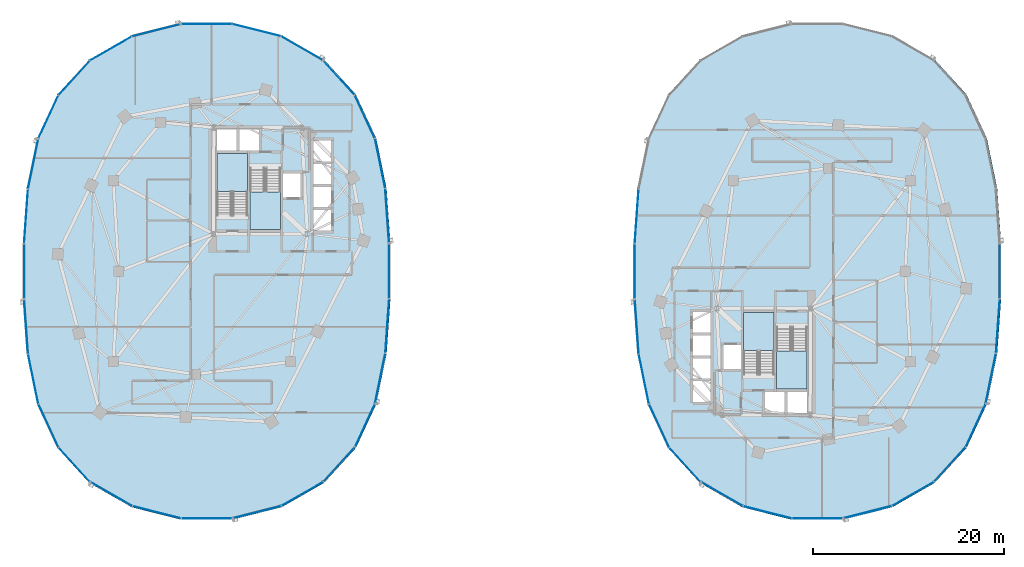
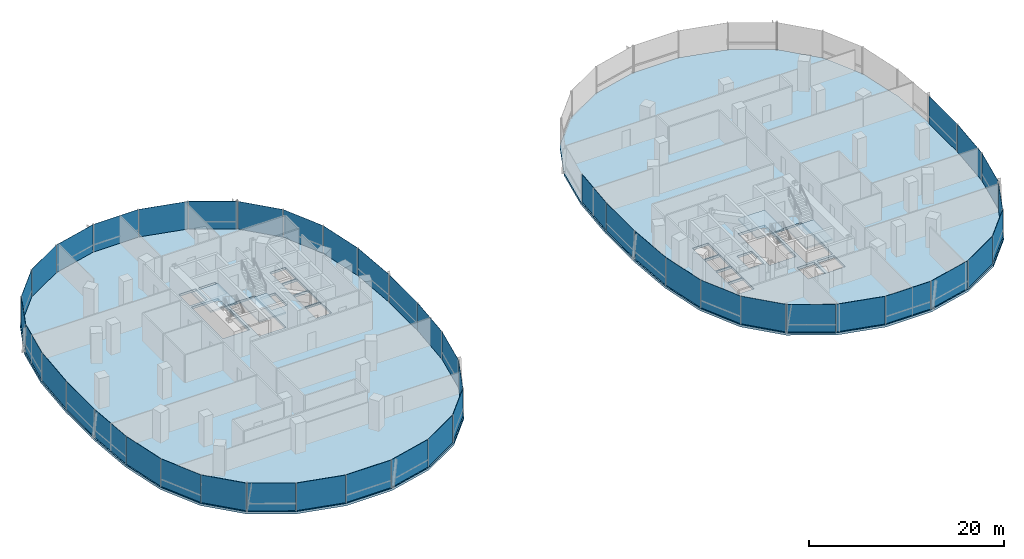
# One storey, part 9 of 21: 44 plates, 6 slabs, 11 elements without a shape of their own.
"""IFC4 building model written with IfcOpenShell, lengths in metres."""

from ifc_helpers import new_model, si_unit, direction, frame, origin, origin_2d, place, context, subcontext, project, spatial, polyline, rectangle, outline, extrude, material, layer, layer_set, type_object, element, aggregate, save


model = new_model("IFC4")

# Units and contexts
model_context = context("Model", 3, precision=1e-05, world=origin(), true_north=direction((0.0, 1.0)))
body_context = subcontext(model_context, "Body", "Model", "MODEL_VIEW")
ifc_project = project(units=[si_unit("LENGTHUNIT", "METRE"), si_unit("AREAUNIT", "SQUARE_METRE"), si_unit("VOLUMEUNIT", "CUBIC_METRE"), si_unit("PLANEANGLEUNIT", "RADIAN"), si_unit("MASSUNIT", "GRAM", prefix="KILO"), si_unit("THERMODYNAMICTEMPERATUREUNIT", "KELVIN"), si_unit("POWERUNIT", "WATT")], contexts=[model_context])

# Site, building, storey
site_placement = place(None, origin())
site = spatial("IfcSite", under=ifc_project, at=site_placement, CompositionType="ELEMENT")
building_placement = place(site_placement, origin())
building = spatial("IfcBuilding", under=site, at=building_placement, Name="Cundina Bronze Exchange", CompositionType="ELEMENT")
storey_placement = place(building_placement, frame((0.0, 0.0, 65.800048828125)))
storey = spatial("IfcBuildingStorey", under=building, at=storey_placement, Name="L16", CompositionType="ELEMENT", Elevation=65.800048828125)

# Curtain wall, plates
ifc_material_1 = material(Name="Anodised Bronze Aluminium 6063-T6", Category="aluminium")
curtain_wall_type = type_object("IfcCurtainWallType", Name="CWS-TRD-LOW", PredefinedType="NOTDEFINED", material=ifc_material_1)
curtain_wall_1_placement = place(storey_placement, origin())
curtain_wall_1 = element("IfcCurtainWall", 1, at=curtain_wall_1_placement, inside=storey, type_object=curtain_wall_type, Name="L16 CW-02 Curtain Wall Run CWR-L16-W1", PredefinedType="NOTDEFINED")
ifc_material_2 = material(Name="Heat-Strengthened Solar-Control Bronze Safety Glass 28mm", Category="glass")
ifc_layer_1 = layer(ifc_material_2, 0.028076171875, Name="Heat-Strengthened Solar-Control Bronze Safety Glass 28mm", Category="glass")
ifc_layer_set_1 = layer_set([ifc_layer_1], Name="Heat-Strengthened Solar-Control Bronze Safety Glass 28mm")
plate_type_1 = type_object("IfcPlateType", Name="PLT-GLZ-VIS28", PredefinedType="CURTAIN_PANEL", material=ifc_layer_set_1)
plate_1_placement = place(storey_placement, frame((-13.0732421875, 5.783935546875, 0.02001953125), z_axis=(0.0, 0.0, 1.0), x_axis=(-0.070278787473, 0.997527389113, 0.0)))
plate_1 = element("IfcPlate", 2, at=plate_1_placement, type_object=plate_type_1, Name="CW-02 Glazed Panel 1", PredefinedType="CURTAIN_PANEL", context=body_context, shape_type="SweptSolid", body=[
    extrude(rectangle(XDim=5.644287109375, YDim=0.028076171875, at=origin_2d()), origin(), (0.0, 0.0, 1.0), 3.4599609375),
])
plate_2_placement = place(storey_placement, frame((-13.81591796875, 11.269775390625, 0.02001953125), z_axis=(0.0, 0.0, 1.0), x_axis=(-0.201419845156, 0.979505000486, 0.0)))
plate_2 = element("IfcPlate", 3, at=plate_2_placement, type_object=plate_type_1, Name="CW-02 Glazed Panel 2", PredefinedType="CURTAIN_PANEL", context=body_context, shape_type="SweptSolid", body=[
    extrude(rectangle(XDim=5.306640625, YDim=0.028076171875, at=origin_2d()), origin(), (0.0, 0.0, 1.0), 3.4599609375),
])
plate_3_placement = place(storey_placement, frame((-15.413818359375, 16.177734375, 0.02001953125), z_axis=(0.0, 0.0, 1.0), x_axis=(-0.42084583328, 0.907132175932, 0.0)))
plate_3 = element("IfcPlate", 4, at=plate_3_placement, type_object=plate_type_1, Name="CW-02 Glazed Panel 3", PredefinedType="CURTAIN_PANEL", context=body_context, shape_type="SweptSolid", body=[
    extrude(rectangle(XDim=4.966552734375, YDim=0.028076171875, at=origin_2d()), origin(), (0.0, 0.0, 1.0), 3.4599609375),
])
plate_4_placement = place(storey_placement, frame((-21.980712890625, 23.34423828125, 0.02001953125), z_axis=(0.0, 0.0, 1.0), x_axis=(-0.867105478933, 0.498124571171, 0.0)))
plate_4 = element("IfcPlate", 5, at=plate_4_placement, type_object=plate_type_1, Name="CW-02 Glazed Panel 5", PredefinedType="CURTAIN_PANEL", context=body_context, shape_type="SweptSolid", body=[
    extrude(rectangle(XDim=5.021240234375, YDim=0.028076171875, at=origin_2d()), origin(), (0.0, 0.0, 1.0), 3.4599609375),
])
plate_5_placement = place(storey_placement, frame((-26.744384765625, 25.256591796875, 0.02001953125), z_axis=(0.0, 0.0, 1.0), x_axis=(-0.969488149345, 0.245138182011, 0.0)))
plate_5 = element("IfcPlate", 6, at=plate_5_placement, type_object=plate_type_1, Name="CW-02 Glazed Panel 6", PredefinedType="CURTAIN_PANEL", context=body_context, shape_type="SweptSolid", body=[
    extrude(rectangle(XDim=5.2333984375, YDim=0.028076171875, at=origin_2d()), origin(), (0.0, 0.0, 1.0), 3.4599609375),
])
plate_6_placement = place(storey_placement, frame((-32.0, 25.905029296875, 0.02001953125), z_axis=(0.0, 0.0, 1.0), x_axis=(-1.0, 0.0, 0.0)))
plate_6 = element("IfcPlate", 7, at=plate_6_placement, type_object=plate_type_1, Name="CW-02 Glazed Panel 7", PredefinedType="CURTAIN_PANEL", context=body_context, shape_type="SweptSolid", body=[
    extrude(rectangle(XDim=5.323974609375, YDim=0.028076171875, at=origin_2d()), origin(), (0.0, 0.0, 1.0), 3.4599609375),
])

curtain_wall_2_placement = place(storey_placement, origin())
curtain_wall_2 = element("IfcCurtainWall", 8, at=curtain_wall_2_placement, inside=storey, type_object=curtain_wall_type, Name="L16 CW-02 Curtain Wall Run CWR-L16-W2", PredefinedType="NOTDEFINED")
plate_7_placement = place(storey_placement, frame((-37.255615234375, 25.256591796875, 0.02001953125), z_axis=(0.0, 0.0, 1.0), x_axis=(-0.969488149345, -0.245138182011, 0.0)))
plate_7 = element("IfcPlate", 9, at=plate_7_placement, type_object=plate_type_1, Name="CW-02 Glazed Panel 1", PredefinedType="CURTAIN_PANEL", context=body_context, shape_type="SweptSolid", body=[
    extrude(rectangle(XDim=5.2333984375, YDim=0.028076171875, at=origin_2d()), origin(), (0.0, 0.0, 1.0), 3.4599609375),
])
plate_8_placement = place(storey_placement, frame((-42.019287109375, 23.34423828125, 0.02001953125), z_axis=(0.0, 0.0, 1.0), x_axis=(-0.867105478933, -0.498124571171, 0.0)))
plate_8 = element("IfcPlate", 10, at=plate_8_placement, type_object=plate_type_1, Name="CW-02 Glazed Panel 2", PredefinedType="CURTAIN_PANEL", context=body_context, shape_type="SweptSolid", body=[
    extrude(rectangle(XDim=5.021240234375, YDim=0.028076171875, at=origin_2d()), origin(), (0.0, 0.0, 1.0), 3.4599609375),
])
plate_9_placement = place(storey_placement, frame((-48.586181640625, 16.177734375, 0.02001953125), z_axis=(0.0, 0.0, 1.0), x_axis=(-0.42084583328, -0.907132175932, 0.0)))
plate_9 = element("IfcPlate", 11, at=plate_9_placement, type_object=plate_type_1, Name="CW-02 Glazed Panel 4", PredefinedType="CURTAIN_PANEL", context=body_context, shape_type="SweptSolid", body=[
    extrude(rectangle(XDim=4.966552734375, YDim=0.028076171875, at=origin_2d()), origin(), (0.0, 0.0, 1.0), 3.4599609375),
])
plate_10_placement = place(storey_placement, frame((-50.18408203125, 11.269775390625, 0.02001953125), z_axis=(0.0, 0.0, 1.0), x_axis=(-0.201419845156, -0.979505000486, 0.0)))
plate_10 = element("IfcPlate", 12, at=plate_10_placement, type_object=plate_type_1, Name="CW-02 Glazed Panel 5", PredefinedType="CURTAIN_PANEL", context=body_context, shape_type="SweptSolid", body=[
    extrude(rectangle(XDim=5.306640625, YDim=0.028076171875, at=origin_2d()), origin(), (0.0, 0.0, 1.0), 3.4599609375),
])
plate_11_placement = place(storey_placement, frame((-50.9267578125, 5.783935546875, 0.02001953125), z_axis=(0.0, 0.0, 1.0), x_axis=(-0.070278787473, -0.997527389113, 0.0)))
plate_11 = element("IfcPlate", 13, at=plate_11_placement, type_object=plate_type_1, Name="CW-02 Glazed Panel 6", PredefinedType="CURTAIN_PANEL", context=body_context, shape_type="SweptSolid", body=[
    extrude(rectangle(XDim=5.644287109375, YDim=0.028076171875, at=origin_2d()), origin(), (0.0, 0.0, 1.0), 3.4599609375),
])
plate_12_placement = place(storey_placement, frame((-51.1279296875, 0.0, 0.02001953125), z_axis=(0.0, 0.0, 1.0), x_axis=(0.0, -1.0, 0.0)))
plate_12 = element("IfcPlate", 14, at=plate_12_placement, type_object=plate_type_1, Name="CW-02 Glazed Panel 7", PredefinedType="CURTAIN_PANEL", context=body_context, shape_type="SweptSolid", body=[
    extrude(rectangle(XDim=5.77587890625, YDim=0.028076171875, at=origin_2d()), origin(), (0.0, 0.0, 1.0), 3.4599609375),
])

curtain_wall_3_placement = place(storey_placement, origin())
curtain_wall_3 = element("IfcCurtainWall", 15, at=curtain_wall_3_placement, inside=storey, type_object=curtain_wall_type, Name="L16 CW-02 Curtain Wall Run CWR-L16-W3", PredefinedType="NOTDEFINED")
plate_13_placement = place(storey_placement, frame((-50.9267578125, -5.783935546875, 0.02001953125), z_axis=(0.0, 0.0, 1.0), x_axis=(0.070278787473, -0.997527389113, 0.0)))
plate_13 = element("IfcPlate", 16, at=plate_13_placement, type_object=plate_type_1, Name="CW-02 Glazed Panel 1", PredefinedType="CURTAIN_PANEL", context=body_context, shape_type="SweptSolid", body=[
    extrude(rectangle(XDim=5.644287109375, YDim=0.028076171875, at=origin_2d()), origin(), (0.0, 0.0, 1.0), 3.4599609375),
])
plate_14_placement = place(storey_placement, frame((-48.586181640625, -16.177734375, 0.02001953125), z_axis=(0.0, 0.0, 1.0), x_axis=(0.42084583328, -0.907132175932, 0.0)))
plate_14 = element("IfcPlate", 17, at=plate_14_placement, type_object=plate_type_1, Name="CW-02 Glazed Panel 3", PredefinedType="CURTAIN_PANEL", context=body_context, shape_type="SweptSolid", body=[
    extrude(rectangle(XDim=4.966552734375, YDim=0.028076171875, at=origin_2d()), origin(), (0.0, 0.0, 1.0), 3.4599609375),
])
plate_15_placement = place(storey_placement, frame((-45.8740234375, -20.267333984375, 0.02001953125), z_axis=(0.0, 0.0, 1.0), x_axis=(0.674276610219, -0.73847887777, 0.0)))
plate_15 = element("IfcPlate", 18, at=plate_15_placement, type_object=plate_type_1, Name="CW-02 Glazed Panel 4", PredefinedType="CURTAIN_PANEL", context=body_context, shape_type="SweptSolid", body=[
    extrude(rectangle(XDim=4.86328125, YDim=0.028076171875, at=origin_2d()), origin(), (0.0, 0.0, 1.0), 3.4599609375),
])
plate_16_placement = place(storey_placement, frame((-42.019287109375, -23.34423828125, 0.02001953125), z_axis=(0.0, 0.0, 1.0), x_axis=(0.867105478933, -0.498124571171, 0.0)))
plate_16 = element("IfcPlate", 19, at=plate_16_placement, type_object=plate_type_1, Name="CW-02 Glazed Panel 5", PredefinedType="CURTAIN_PANEL", context=body_context, shape_type="SweptSolid", body=[
    extrude(rectangle(XDim=5.021240234375, YDim=0.028076171875, at=origin_2d()), origin(), (0.0, 0.0, 1.0), 3.4599609375),
])
plate_17_placement = place(storey_placement, frame((-37.255615234375, -25.256591796875, 0.02001953125), z_axis=(0.0, 0.0, 1.0), x_axis=(0.969488149345, -0.245138182011, 0.0)))
plate_17 = element("IfcPlate", 20, at=plate_17_placement, type_object=plate_type_1, Name="CW-02 Glazed Panel 6", PredefinedType="CURTAIN_PANEL", context=body_context, shape_type="SweptSolid", body=[
    extrude(rectangle(XDim=5.2333984375, YDim=0.028076171875, at=origin_2d()), origin(), (0.0, 0.0, 1.0), 3.4599609375),
])

curtain_wall_4_placement = place(storey_placement, origin())
curtain_wall_4 = element("IfcCurtainWall", 21, at=curtain_wall_4_placement, inside=storey, type_object=curtain_wall_type, Name="L16 CW-02 Curtain Wall Run CWR-L16-W4", PredefinedType="NOTDEFINED")
plate_18_placement = place(storey_placement, frame((-21.980712890625, -23.34423828125, 0.02001953125), z_axis=(0.0, 0.0, 1.0), x_axis=(0.867105478933, 0.498124571171, 0.0)))
plate_18 = element("IfcPlate", 22, at=plate_18_placement, type_object=plate_type_1, Name="CW-02 Glazed Panel 2", PredefinedType="CURTAIN_PANEL", context=body_context, shape_type="SweptSolid", body=[
    extrude(rectangle(XDim=5.021240234375, YDim=0.028076171875, at=origin_2d()), origin(), (0.0, 0.0, 1.0), 3.4599609375),
])
plate_19_placement = place(storey_placement, frame((-18.1259765625, -20.267333984375, 0.02001953125), z_axis=(0.0, 0.0, 1.0), x_axis=(0.674276610219, 0.73847887777, 0.0)))
plate_19 = element("IfcPlate", 23, at=plate_19_placement, type_object=plate_type_1, Name="CW-02 Glazed Panel 3", PredefinedType="CURTAIN_PANEL", context=body_context, shape_type="SweptSolid", body=[
    extrude(rectangle(XDim=4.86328125, YDim=0.028076171875, at=origin_2d()), origin(), (0.0, 0.0, 1.0), 3.4599609375),
])
plate_20_placement = place(storey_placement, frame((-15.413818359375, -16.177734375, 0.02001953125), z_axis=(0.0, 0.0, 1.0), x_axis=(0.42084583328, 0.907132175932, 0.0)))
plate_20 = element("IfcPlate", 24, at=plate_20_placement, type_object=plate_type_1, Name="CW-02 Glazed Panel 4", PredefinedType="CURTAIN_PANEL", context=body_context, shape_type="SweptSolid", body=[
    extrude(rectangle(XDim=4.966552734375, YDim=0.028076171875, at=origin_2d()), origin(), (0.0, 0.0, 1.0), 3.4599609375),
])
plate_21_placement = place(storey_placement, frame((-13.81591796875, -11.269775390625, 0.02001953125), z_axis=(0.0, 0.0, 1.0), x_axis=(0.201419845156, 0.979505000486, 0.0)))
plate_21 = element("IfcPlate", 25, at=plate_21_placement, type_object=plate_type_1, Name="CW-02 Glazed Panel 5", PredefinedType="CURTAIN_PANEL", context=body_context, shape_type="SweptSolid", body=[
    extrude(rectangle(XDim=5.306640625, YDim=0.028076171875, at=origin_2d()), origin(), (0.0, 0.0, 1.0), 3.4599609375),
])
plate_22_placement = place(storey_placement, frame((-12.8720703125, 0.0, 0.02001953125), z_axis=(0.0, 0.0, 1.0), x_axis=(0.0, 1.0, 0.0)))
plate_22 = element("IfcPlate", 26, at=plate_22_placement, type_object=plate_type_1, Name="CW-02 Glazed Panel 7", PredefinedType="CURTAIN_PANEL", context=body_context, shape_type="SweptSolid", body=[
    extrude(rectangle(XDim=5.77587890625, YDim=0.028076171875, at=origin_2d()), origin(), (0.0, 0.0, 1.0), 3.4599609375),
])

curtain_wall_5_placement = place(storey_placement, origin())
curtain_wall_5 = element("IfcCurtainWall", 27, at=curtain_wall_5_placement, inside=storey, type_object=curtain_wall_type, Name="L16 CW-02 Curtain Wall Run CWR-L16-E2", PredefinedType="NOTDEFINED")
plate_23_placement = place(storey_placement, frame((13.0732421875, 5.783935546875, 0.02001953125), z_axis=(0.0, 0.0, 1.0), x_axis=(-0.070278787473, -0.997527389113, 0.0)))
plate_23 = element("IfcPlate", 28, at=plate_23_placement, type_object=plate_type_1, Name="CW-02 Glazed Panel 6", PredefinedType="CURTAIN_PANEL", context=body_context, shape_type="SweptSolid", body=[
    extrude(rectangle(XDim=5.644287109375, YDim=0.028076171875, at=origin_2d()), origin(), (0.0, 0.0, 1.0), 3.4599609375),
])
plate_24_placement = place(storey_placement, frame((12.8720703125, 0.0, 0.02001953125), z_axis=(0.0, 0.0, 1.0), x_axis=(0.0, -1.0, 0.0)))
plate_24 = element("IfcPlate", 29, at=plate_24_placement, type_object=plate_type_1, Name="CW-02 Glazed Panel 7", PredefinedType="CURTAIN_PANEL", context=body_context, shape_type="SweptSolid", body=[
    extrude(rectangle(XDim=5.77587890625, YDim=0.028076171875, at=origin_2d()), origin(), (0.0, 0.0, 1.0), 3.4599609375),
])
aggregate(curtain_wall_5, [plate_23, plate_24])

curtain_wall_6_placement = place(storey_placement, origin())
curtain_wall_6 = element("IfcCurtainWall", 30, at=curtain_wall_6_placement, inside=storey, type_object=curtain_wall_type, Name="L16 CW-02 Curtain Wall Run CWR-L16-E3", PredefinedType="NOTDEFINED")
plate_25_placement = place(storey_placement, frame((13.0732421875, -5.783935546875, 0.02001953125), z_axis=(0.0, 0.0, 1.0), x_axis=(0.070278787473, -0.997527389113, 0.0)))
plate_25 = element("IfcPlate", 31, at=plate_25_placement, type_object=plate_type_1, Name="CW-02 Glazed Panel 1", PredefinedType="CURTAIN_PANEL", context=body_context, shape_type="SweptSolid", body=[
    extrude(rectangle(XDim=5.644287109375, YDim=0.028076171875, at=origin_2d()), origin(), (0.0, 0.0, 1.0), 3.4599609375),
])
plate_26_placement = place(storey_placement, frame((15.413818359375, -16.177734375, 0.02001953125), z_axis=(0.0, 0.0, 1.0), x_axis=(0.42084583328, -0.907132175932, 0.0)))
plate_26 = element("IfcPlate", 32, at=plate_26_placement, type_object=plate_type_1, Name="CW-02 Glazed Panel 3", PredefinedType="CURTAIN_PANEL", context=body_context, shape_type="SweptSolid", body=[
    extrude(rectangle(XDim=4.966552734375, YDim=0.028076171875, at=origin_2d()), origin(), (0.0, 0.0, 1.0), 3.4599609375),
])
plate_27_placement = place(storey_placement, frame((18.1259765625, -20.267333984375, 0.02001953125), z_axis=(0.0, 0.0, 1.0), x_axis=(0.674276610219, -0.73847887777, 0.0)))
plate_27 = element("IfcPlate", 33, at=plate_27_placement, type_object=plate_type_1, Name="CW-02 Glazed Panel 4", PredefinedType="CURTAIN_PANEL", context=body_context, shape_type="SweptSolid", body=[
    extrude(rectangle(XDim=4.86328125, YDim=0.028076171875, at=origin_2d()), origin(), (0.0, 0.0, 1.0), 3.4599609375),
])
plate_28_placement = place(storey_placement, frame((21.980712890625, -23.34423828125, 0.02001953125), z_axis=(0.0, 0.0, 1.0), x_axis=(0.867105478933, -0.498124571171, 0.0)))
plate_28 = element("IfcPlate", 34, at=plate_28_placement, type_object=plate_type_1, Name="CW-02 Glazed Panel 5", PredefinedType="CURTAIN_PANEL", context=body_context, shape_type="SweptSolid", body=[
    extrude(rectangle(XDim=5.021240234375, YDim=0.028076171875, at=origin_2d()), origin(), (0.0, 0.0, 1.0), 3.4599609375),
])
plate_29_placement = place(storey_placement, frame((26.744384765625, -25.256591796875, 0.02001953125), z_axis=(0.0, 0.0, 1.0), x_axis=(0.969488149345, -0.245138182011, 0.0)))
plate_29 = element("IfcPlate", 35, at=plate_29_placement, type_object=plate_type_1, Name="CW-02 Glazed Panel 6", PredefinedType="CURTAIN_PANEL", context=body_context, shape_type="SweptSolid", body=[
    extrude(rectangle(XDim=5.2333984375, YDim=0.028076171875, at=origin_2d()), origin(), (0.0, 0.0, 1.0), 3.4599609375),
])

curtain_wall_7_placement = place(storey_placement, origin())
curtain_wall_7 = element("IfcCurtainWall", 36, at=curtain_wall_7_placement, inside=storey, type_object=curtain_wall_type, Name="L16 CW-02 Curtain Wall Run CWR-L16-E4", PredefinedType="NOTDEFINED")
plate_30_placement = place(storey_placement, frame((42.019287109375, -23.34423828125, 0.02001953125), z_axis=(0.0, 0.0, 1.0), x_axis=(0.867105478933, 0.498124571171, 0.0)))
plate_30 = element("IfcPlate", 37, at=plate_30_placement, type_object=plate_type_1, Name="CW-02 Glazed Panel 2", PredefinedType="CURTAIN_PANEL", context=body_context, shape_type="SweptSolid", body=[
    extrude(rectangle(XDim=5.021240234375, YDim=0.028076171875, at=origin_2d()), origin(), (0.0, 0.0, 1.0), 3.4599609375),
])
plate_31_placement = place(storey_placement, frame((45.8740234375, -20.267333984375, 0.02001953125), z_axis=(0.0, 0.0, 1.0), x_axis=(0.674276610219, 0.73847887777, 0.0)))
plate_31 = element("IfcPlate", 38, at=plate_31_placement, type_object=plate_type_1, Name="CW-02 Glazed Panel 3", PredefinedType="CURTAIN_PANEL", context=body_context, shape_type="SweptSolid", body=[
    extrude(rectangle(XDim=4.86328125, YDim=0.028076171875, at=origin_2d()), origin(), (0.0, 0.0, 1.0), 3.4599609375),
])
plate_32_placement = place(storey_placement, frame((48.586181640625, -16.177734375, 0.02001953125), z_axis=(0.0, 0.0, 1.0), x_axis=(0.42084583328, 0.907132175932, 0.0)))
plate_32 = element("IfcPlate", 39, at=plate_32_placement, type_object=plate_type_1, Name="CW-02 Glazed Panel 4", PredefinedType="CURTAIN_PANEL", context=body_context, shape_type="SweptSolid", body=[
    extrude(rectangle(XDim=4.966552734375, YDim=0.028076171875, at=origin_2d()), origin(), (0.0, 0.0, 1.0), 3.4599609375),
])
plate_33_placement = place(storey_placement, frame((50.18408203125, -11.269775390625, 0.02001953125), z_axis=(0.0, 0.0, 1.0), x_axis=(0.201419845156, 0.979505000486, 0.0)))
plate_33 = element("IfcPlate", 40, at=plate_33_placement, type_object=plate_type_1, Name="CW-02 Glazed Panel 5", PredefinedType="CURTAIN_PANEL", context=body_context, shape_type="SweptSolid", body=[
    extrude(rectangle(XDim=5.306640625, YDim=0.028076171875, at=origin_2d()), origin(), (0.0, 0.0, 1.0), 3.4599609375),
])
plate_34_placement = place(storey_placement, frame((51.1279296875, 0.0, 0.02001953125), z_axis=(0.0, 0.0, 1.0), x_axis=(0.0, 1.0, 0.0)))
plate_34 = element("IfcPlate", 41, at=plate_34_placement, type_object=plate_type_1, Name="CW-02 Glazed Panel 7", PredefinedType="CURTAIN_PANEL", context=body_context, shape_type="SweptSolid", body=[
    extrude(rectangle(XDim=5.77587890625, YDim=0.028076171875, at=origin_2d()), origin(), (0.0, 0.0, 1.0), 3.4599609375),
])

# Plate
ifc_material_3 = material(Name="Dark Bronze Spandrel Glass Panel 32mm", Category="glass")
ifc_layer_2 = layer(ifc_material_3, 0.031982421875, Name="Dark Bronze Spandrel Glass Panel 32mm", Category="glass")
ifc_layer_set_2 = layer_set([ifc_layer_2], Name="Dark Bronze Spandrel Glass Panel 32mm")
plate_type_2 = type_object("IfcPlateType", Name="PLT-SPN-BRZ32", PredefinedType="CURTAIN_PANEL", material=ifc_layer_set_2)
plate_35_placement = place(storey_placement, frame((-18.1259765625, 20.267333984375, 0.02001953125), z_axis=(0.0, 0.0, 1.0), x_axis=(-0.674276610219, 0.73847887777, 0.0)))
plate_35 = element("IfcPlate", 42, at=plate_35_placement, type_object=plate_type_2, Name="CW-02 Glazed Panel 4", PredefinedType="CURTAIN_PANEL", context=body_context, shape_type="SweptSolid", body=[
    extrude(rectangle(XDim=4.86328125, YDim=0.031982421875, at=origin_2d()), origin(), (0.0, 0.0, 1.0), 3.4599609375),
])

aggregate(curtain_wall_1, [plate_1, plate_2, plate_3, plate_35, plate_4, plate_5, plate_6])

plate_36_placement = place(storey_placement, frame((-45.8740234375, 20.267333984375, 0.02001953125), z_axis=(0.0, 0.0, 1.0), x_axis=(-0.674276610219, -0.73847887777, 0.0)))
plate_36 = element("IfcPlate", 43, at=plate_36_placement, type_object=plate_type_2, Name="CW-02 Glazed Panel 3", PredefinedType="CURTAIN_PANEL", context=body_context, shape_type="SweptSolid", body=[
    extrude(rectangle(XDim=4.86328125, YDim=0.031982421875, at=origin_2d()), origin(), (0.0, 0.0, 1.0), 3.4599609375),
])

aggregate(curtain_wall_2, [plate_7, plate_8, plate_36, plate_9, plate_10, plate_11, plate_12])

plate_37_placement = place(storey_placement, frame((-50.18408203125, -11.269775390625, 0.02001953125), z_axis=(0.0, 0.0, 1.0), x_axis=(0.201419845156, -0.979505000486, 0.0)))
plate_37 = element("IfcPlate", 44, at=plate_37_placement, type_object=plate_type_2, Name="CW-02 Glazed Panel 2", PredefinedType="CURTAIN_PANEL", context=body_context, shape_type="SweptSolid", body=[
    extrude(rectangle(XDim=5.306640625, YDim=0.031982421875, at=origin_2d()), origin(), (0.0, 0.0, 1.0), 3.4599609375),
])

plate_38_placement = place(storey_placement, frame((-32.0, -25.905029296875, 0.02001953125), z_axis=(0.0, 0.0, 1.0), x_axis=(1.0, 0.0, 0.0)))
plate_38 = element("IfcPlate", 45, at=plate_38_placement, type_object=plate_type_2, Name="CW-02 Glazed Panel 7", PredefinedType="CURTAIN_PANEL", context=body_context, shape_type="SweptSolid", body=[
    extrude(rectangle(XDim=5.323974609375, YDim=0.031982421875, at=origin_2d()), origin(), (0.0, 0.0, 1.0), 3.4599609375),
])

aggregate(curtain_wall_3, [plate_13, plate_37, plate_14, plate_15, plate_16, plate_17, plate_38])

plate_39_placement = place(storey_placement, frame((-26.744384765625, -25.256591796875, 0.02001953125), z_axis=(0.0, 0.0, 1.0), x_axis=(0.969488149345, 0.245138182011, 0.0)))
plate_39 = element("IfcPlate", 46, at=plate_39_placement, type_object=plate_type_2, Name="CW-02 Glazed Panel 1", PredefinedType="CURTAIN_PANEL", context=body_context, shape_type="SweptSolid", body=[
    extrude(rectangle(XDim=5.2333984375, YDim=0.031982421875, at=origin_2d()), origin(), (0.0, 0.0, 1.0), 3.4599609375),
])

plate_40_placement = place(storey_placement, frame((-13.0732421875, -5.783935546875, 0.02001953125), z_axis=(0.0, 0.0, 1.0), x_axis=(0.070278787473, 0.997527389113, 0.0)))
plate_40 = element("IfcPlate", 47, at=plate_40_placement, type_object=plate_type_2, Name="CW-02 Glazed Panel 6", PredefinedType="CURTAIN_PANEL", context=body_context, shape_type="SweptSolid", body=[
    extrude(rectangle(XDim=5.644287109375, YDim=0.031982421875, at=origin_2d()), origin(), (0.0, 0.0, 1.0), 3.4599609375),
])

aggregate(curtain_wall_4, [plate_39, plate_18, plate_19, plate_20, plate_21, plate_40, plate_22])

plate_41_placement = place(storey_placement, frame((13.81591796875, -11.269775390625, 0.02001953125), z_axis=(0.0, 0.0, 1.0), x_axis=(0.201419845156, -0.979505000486, 0.0)))
plate_41 = element("IfcPlate", 48, at=plate_41_placement, type_object=plate_type_2, Name="CW-02 Glazed Panel 2", PredefinedType="CURTAIN_PANEL", context=body_context, shape_type="SweptSolid", body=[
    extrude(rectangle(XDim=5.306640625, YDim=0.031982421875, at=origin_2d()), origin(), (0.0, 0.0, 1.0), 3.4599609375),
])

plate_42_placement = place(storey_placement, frame((32.0, -25.905029296875, 0.02001953125), z_axis=(0.0, 0.0, 1.0), x_axis=(1.0, 0.0, 0.0)))
plate_42 = element("IfcPlate", 49, at=plate_42_placement, type_object=plate_type_2, Name="CW-02 Glazed Panel 7", PredefinedType="CURTAIN_PANEL", context=body_context, shape_type="SweptSolid", body=[
    extrude(rectangle(XDim=5.323974609375, YDim=0.031982421875, at=origin_2d()), origin(), (0.0, 0.0, 1.0), 3.4599609375),
])

aggregate(curtain_wall_6, [plate_25, plate_41, plate_26, plate_27, plate_28, plate_29, plate_42])

plate_43_placement = place(storey_placement, frame((37.255615234375, -25.256591796875, 0.02001953125), z_axis=(0.0, 0.0, 1.0), x_axis=(0.969488149345, 0.245138182011, 0.0)))
plate_43 = element("IfcPlate", 50, at=plate_43_placement, type_object=plate_type_2, Name="CW-02 Glazed Panel 1", PredefinedType="CURTAIN_PANEL", context=body_context, shape_type="SweptSolid", body=[
    extrude(rectangle(XDim=5.2333984375, YDim=0.031982421875, at=origin_2d()), origin(), (0.0, 0.0, 1.0), 3.4599609375),
])

plate_44_placement = place(storey_placement, frame((50.9267578125, -5.783935546875, 0.02001953125), z_axis=(0.0, 0.0, 1.0), x_axis=(0.070278787473, 0.997527389113, 0.0)))
plate_44 = element("IfcPlate", 51, at=plate_44_placement, type_object=plate_type_2, Name="CW-02 Glazed Panel 6", PredefinedType="CURTAIN_PANEL", context=body_context, shape_type="SweptSolid", body=[
    extrude(rectangle(XDim=5.644287109375, YDim=0.031982421875, at=origin_2d()), origin(), (0.0, 0.0, 1.0), 3.4599609375),
])

aggregate(curtain_wall_7, [plate_43, plate_30, plate_31, plate_32, plate_33, plate_44, plate_34])

# Stair, slab
ifc_material_4 = material(Name="Concrete C40/50", Category="concrete")
stair_type = type_object("IfcStairType", Name="STR-TRD-380", PredefinedType="HALF_TURN_STAIR", material=ifc_material_4)
stair_1_placement = place(storey_placement, origin())
stair_1 = element("IfcStair", 52, at=stair_1_placement, inside=storey, type_object=stair_type, Name="L16 Smokeproof Exit Stair W1", PredefinedType="HALF_TURN_STAIR")
ifc_layer_3 = layer(ifc_material_4, 0.199951171875, Name="Concrete C40/50", Category="concrete")
ifc_layer_set_3 = layer_set([ifc_layer_3], Name="Concrete C40/50")
slab_type_1 = type_object("IfcSlabType", Name="SLB-LND-200", PredefinedType="LANDING", material=ifc_layer_set_3)
slab_1_placement = place(storey_placement, frame((0.0, 0.0, 1.699951171875)))
slab_1 = element("IfcSlab", 53, at=slab_1_placement, type_object=slab_type_1, Name="ST-W1 landing 1", PredefinedType="LANDING", context=body_context, shape_type="SweptSolid", body=[
    extrude(outline(polyline([(-27.739990234375, 8.3701171875), (-27.739990234375, 12.35009765625), (-30.89990234375, 12.35009765625), (-30.89990234375, 8.3701171875), (-27.739990234375, 8.3701171875)])), origin(), (0.0, 0.0, 1.0), 0.199951171875),
])
aggregate(stair_1, [slab_1])

stair_2_placement = place(storey_placement, origin())
stair_2 = element("IfcStair", 54, at=stair_2_placement, inside=storey, type_object=stair_type, Name="L16 Smokeproof Exit Stair W2", PredefinedType="HALF_TURN_STAIR")
slab_2_placement = place(storey_placement, frame((0.0, 0.0, 1.699951171875)))
slab_2 = element("IfcSlab", 55, at=slab_2_placement, type_object=slab_type_1, Name="ST-W2 landing 1", PredefinedType="LANDING", context=body_context, shape_type="SweptSolid", body=[
    extrude(outline(polyline([(-27.43994140625, 8.330078125), (-27.43994140625, 4.35009765625), (-24.280029296875, 4.35009765625), (-24.280029296875, 8.330078125), (-27.43994140625, 8.330078125)])), origin(), (0.0, 0.0, 1.0), 0.199951171875),
])
aggregate(stair_2, [slab_2])

stair_3_placement = place(storey_placement, origin())
stair_3 = element("IfcStair", 56, at=stair_3_placement, inside=storey, type_object=stair_type, Name="L16 Smokeproof Exit Stair E1", PredefinedType="HALF_TURN_STAIR")
slab_3_placement = place(storey_placement, frame((0.0, 0.0, 1.699951171875)))
slab_3 = element("IfcSlab", 57, at=slab_3_placement, type_object=slab_type_1, Name="ST-E1 landing 1", PredefinedType="LANDING", context=body_context, shape_type="SweptSolid", body=[
    extrude(outline(polyline([(27.739990234375, -8.3701171875), (27.739990234375, -12.35009765625), (30.89990234375, -12.35009765625), (30.89990234375, -8.3701171875), (27.739990234375, -8.3701171875)])), origin(), (0.0, 0.0, 1.0), 0.199951171875),
])
aggregate(stair_3, [slab_3])

stair_4_placement = place(storey_placement, origin())
stair_4 = element("IfcStair", 58, at=stair_4_placement, inside=storey, type_object=stair_type, Name="L16 Smokeproof Exit Stair E2", PredefinedType="HALF_TURN_STAIR")
slab_4_placement = place(storey_placement, frame((0.0, 0.0, 1.699951171875)))
slab_4 = element("IfcSlab", 59, at=slab_4_placement, type_object=slab_type_1, Name="ST-E2 landing 1", PredefinedType="LANDING", context=body_context, shape_type="SweptSolid", body=[
    extrude(outline(polyline([(27.43994140625, -8.330078125), (27.43994140625, -4.35009765625), (24.280029296875, -4.35009765625), (24.280029296875, -8.330078125), (27.43994140625, -8.330078125)])), origin(), (0.0, 0.0, 1.0), 0.199951171875),
])
aggregate(stair_4, [slab_4])

# Slabs
ifc_material_5 = material(Name="Concrete C50/60", Category="concrete")
ifc_layer_4 = layer(ifc_material_5, 0.300048828125, Name="Concrete C50/60", Category="concrete")
ifc_layer_set_4 = layer_set([ifc_layer_4], Name="Concrete C50/60")
slab_type_2 = type_object("IfcSlabType", Name="SLB-TRD-300", PredefinedType="FLOOR", material=ifc_layer_set_4)
slab_5_placement = place(storey_placement, frame((0.0, 0.0, -0.300048828125)))
element("IfcSlab", 60, at=slab_5_placement, inside=storey, type_object=slab_type_2, Name="L16 Leg W Structural Floor Slab", PredefinedType="FLOOR", context=body_context, shape_type="SweptSolid", body=[
    extrude(outline(polyline([(-12.741943359375, 2.93310546875), (-13.14501953125, 8.653076171875), (-14.23193359375, 13.93896484375), (-16.360107421875, 18.52587890625), (-19.699951171875, 22.18408203125), (-24.132080078125, 24.72998046875), (-29.29296875, 26.034912109375), (-34.70703125, 26.034912109375), (-39.867919921875, 24.72998046875), (-44.300048828125, 22.18408203125), (-47.639892578125, 18.52587890625), (-49.76806640625, 13.93896484375), (-50.85498046875, 8.653076171875), (-51.258056640625, 2.93310546875), (-51.258056640625, -2.93310546875), (-50.85498046875, -8.653076171875), (-49.76806640625, -13.93896484375), (-47.639892578125, -18.52587890625), (-44.300048828125, -22.18408203125), (-39.867919921875, -24.72998046875), (-34.70703125, -26.034912109375), (-29.29296875, -26.034912109375), (-24.132080078125, -24.72998046875), (-19.699951171875, -22.18408203125), (-16.360107421875, -18.52587890625), (-14.23193359375, -13.93896484375), (-13.14501953125, -8.653076171875), (-12.741943359375, -2.93310546875), (-12.741943359375, 2.93310546875)]), holes=[polyline([(-27.739990234375, 5.85009765625), (-27.739990234375, 12.35009765625), (-30.89990234375, 12.35009765625), (-30.89990234375, 5.85009765625), (-27.739990234375, 5.85009765625)]), polyline([(-27.43994140625, 10.85009765625), (-27.43994140625, 4.35009765625), (-24.280029296875, 4.35009765625), (-24.280029296875, 10.85009765625), (-27.43994140625, 10.85009765625)]), polyline([(-23.97998046875, 10.25), (-22.179931640625, 10.25), (-22.179931640625, 7.75), (-23.97998046875, 7.75), (-23.97998046875, 10.25)]), polyline([(-30.89990234375, 14.949951171875), (-28.85009765625, 14.949951171875), (-28.85009765625, 12.64990234375), (-30.89990234375, 12.64990234375), (-30.89990234375, 14.949951171875)]), polyline([(-28.550048828125, 14.949951171875), (-26.5, 14.949951171875), (-26.5, 12.64990234375), (-28.550048828125, 12.64990234375), (-28.550048828125, 14.949951171875)]), polyline([(-20.800048828125, 13.699951171875), (-18.949951171875, 13.699951171875), (-18.949951171875, 11.449951171875), (-20.800048828125, 11.449951171875), (-20.800048828125, 13.699951171875)]), polyline([(-20.800048828125, 11.300048828125), (-18.949951171875, 11.300048828125), (-18.949951171875, 9.050048828125), (-20.800048828125, 9.050048828125), (-20.800048828125, 11.300048828125)]), polyline([(-20.800048828125, 8.89990234375), (-18.949951171875, 8.89990234375), (-18.949951171875, 6.64990234375), (-20.800048828125, 6.64990234375), (-20.800048828125, 8.89990234375)]), polyline([(-20.800048828125, 6.5), (-18.949951171875, 6.5), (-18.949951171875, 4.25), (-20.800048828125, 4.25), (-20.800048828125, 6.5)])]), origin(), (0.0, 0.0, 1.0), 0.300048828125),
])
slab_6_placement = place(storey_placement, frame((0.0, 0.0, -0.300048828125)))
element("IfcSlab", 61, at=slab_6_placement, inside=storey, type_object=slab_type_2, Name="L16 Leg E Structural Floor Slab", PredefinedType="FLOOR", context=body_context, shape_type="SweptSolid", body=[
    extrude(outline(polyline([(51.258056640625, 2.93310546875), (50.85498046875, 8.653076171875), (49.76806640625, 13.93896484375), (47.639892578125, 18.52587890625), (44.300048828125, 22.18408203125), (39.867919921875, 24.72998046875), (34.70703125, 26.034912109375), (29.29296875, 26.034912109375), (24.132080078125, 24.72998046875), (19.699951171875, 22.18408203125), (16.360107421875, 18.52587890625), (14.23193359375, 13.93896484375), (13.14501953125, 8.653076171875), (12.741943359375, 2.93310546875), (12.741943359375, -2.93310546875), (13.14501953125, -8.653076171875), (14.23193359375, -13.93896484375), (16.360107421875, -18.52587890625), (19.699951171875, -22.18408203125), (24.132080078125, -24.72998046875), (29.29296875, -26.034912109375), (34.70703125, -26.034912109375), (39.867919921875, -24.72998046875), (44.300048828125, -22.18408203125), (47.639892578125, -18.52587890625), (49.76806640625, -13.93896484375), (50.85498046875, -8.653076171875), (51.258056640625, -2.93310546875), (51.258056640625, 2.93310546875)]), holes=[polyline([(27.739990234375, -5.85009765625), (27.739990234375, -12.35009765625), (30.89990234375, -12.35009765625), (30.89990234375, -5.85009765625), (27.739990234375, -5.85009765625)]), polyline([(27.43994140625, -10.85009765625), (27.43994140625, -4.35009765625), (24.280029296875, -4.35009765625), (24.280029296875, -10.85009765625), (27.43994140625, -10.85009765625)]), polyline([(22.179931640625, -7.75), (23.97998046875, -7.75), (23.97998046875, -10.25), (22.179931640625, -10.25), (22.179931640625, -7.75)]), polyline([(28.85009765625, -12.64990234375), (30.89990234375, -12.64990234375), (30.89990234375, -14.949951171875), (28.85009765625, -14.949951171875), (28.85009765625, -12.64990234375)]), polyline([(26.5, -12.64990234375), (28.550048828125, -12.64990234375), (28.550048828125, -14.949951171875), (26.5, -14.949951171875), (26.5, -12.64990234375)]), polyline([(18.949951171875, -11.449951171875), (20.800048828125, -11.449951171875), (20.800048828125, -13.699951171875), (18.949951171875, -13.699951171875), (18.949951171875, -11.449951171875)]), polyline([(18.949951171875, -9.050048828125), (20.800048828125, -9.050048828125), (20.800048828125, -11.300048828125), (18.949951171875, -11.300048828125), (18.949951171875, -9.050048828125)]), polyline([(18.949951171875, -6.64990234375), (20.800048828125, -6.64990234375), (20.800048828125, -8.89990234375), (18.949951171875, -8.89990234375), (18.949951171875, -6.64990234375)]), polyline([(18.949951171875, -4.25), (20.800048828125, -4.25), (20.800048828125, -6.5), (18.949951171875, -6.5), (18.949951171875, -4.25)])]), origin(), (0.0, 0.0, 1.0), 0.300048828125),
])

save(model, "model.ifc")
